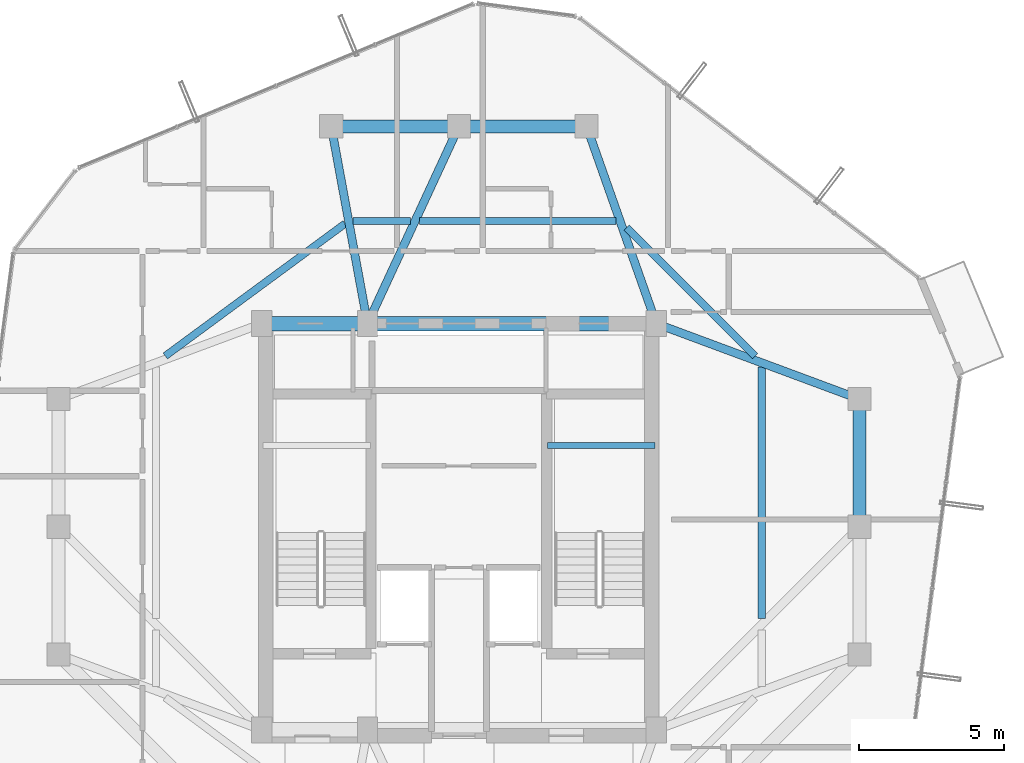
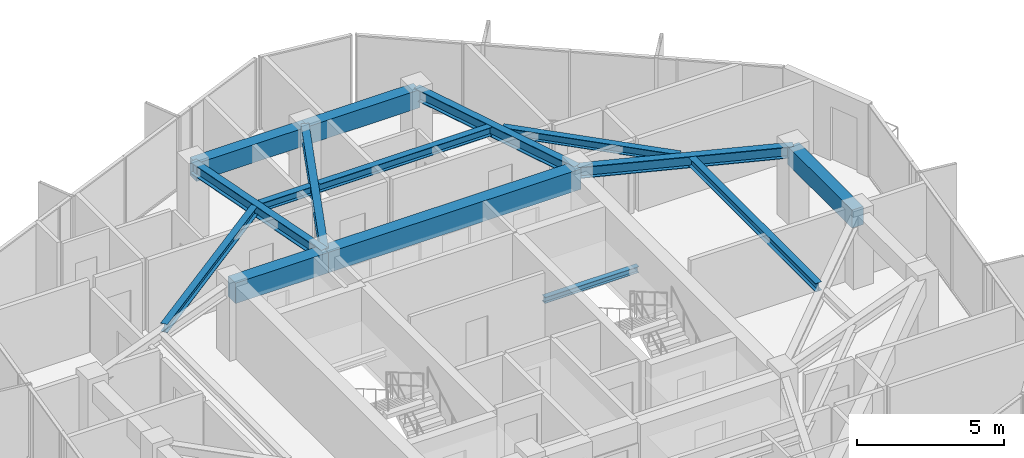
# One storey, part 16 of 31: 15 beams.
"""IFC4 building model written with IfcOpenShell, lengths in metres."""

from ifc_helpers import new_model, si_unit, direction, frame, origin, origin_2d, place, context, subcontext, project, spatial, rectangle, i_section, extrude, material, material_profile, profile_set, type_object, element, save


model = new_model("IFC4")

# Units and contexts
model_context = context("Model", 3, precision=1e-05, world=origin(), true_north=direction((0.0, 1.0)))
body_context = subcontext(model_context, "Body", "Model", "MODEL_VIEW")
ifc_project = project(units=[si_unit("LENGTHUNIT", "METRE"), si_unit("AREAUNIT", "SQUARE_METRE"), si_unit("VOLUMEUNIT", "CUBIC_METRE"), si_unit("PLANEANGLEUNIT", "RADIAN"), si_unit("MASSUNIT", "GRAM", prefix="KILO")], contexts=[model_context])

# Site, building, storey
site_placement = place(None, origin())
site = spatial("IfcSite", under=ifc_project, at=site_placement, CompositionType="ELEMENT")
building_placement = place(site_placement, origin())
building = spatial("IfcBuilding", under=site, at=building_placement, Name="Veraguas Prism Commons", CompositionType="ELEMENT")
storey_placement = place(building_placement, frame((0.0, 0.0, 233.300048828125)))
storey = spatial("IfcBuildingStorey", under=building, at=storey_placement, Name="L66", CompositionType="ELEMENT", Elevation=233.300048828125)

# Beams
ifc_material_1 = material(Name="Concrete C50/60", Category="concrete")
ifc_material_profile_1 = material_profile(ifc_material_1, rectangle(XDim=0.5, YDim=0.85009765625, at=origin_2d()), Name="RC500X850")
ifc_profile_set_1 = profile_set([ifc_material_profile_1], Name="Concrete C50/60")
beam_type_1 = type_object("IfcBeamType", Name="Core Coupling Beam RC 500x850", PredefinedType="BEAM", material=ifc_profile_set_1)
beam_1_placement = place(storey_placement, frame((17.199951171875, 31.0, 2.58984375), z_axis=(1.0, 0.0, 0.0), x_axis=(0.0, 1.0, 0.0)))
element("IfcBeam", 1, at=beam_1_placement, inside=storey, type_object=beam_type_1, Name="Core Coupling Beam L66-CRN1", PredefinedType="BEAM", context=body_context, shape_type="SweptSolid", body=[
    extrude(rectangle(XDim=0.5, YDim=0.85009765625, at=origin_2d()), origin(), (0.0, 0.0, 1.0), 3.650146484375),
])
beam_2_placement = place(storey_placement, frame((20.85009765625, 31.0, 2.58984375), z_axis=(1.0, 0.0, 0.0), x_axis=(0.0, 1.0, 0.0)))
element("IfcBeam", 2, at=beam_2_placement, inside=storey, type_object=beam_type_1, Name="Core Coupling Beam L66-CRN2", PredefinedType="BEAM", context=body_context, shape_type="SweptSolid", body=[
    extrude(rectangle(XDim=0.5, YDim=0.85009765625, at=origin_2d()), origin(), (0.0, 0.0, 1.0), 9.949951171875),
])
ifc_material_profile_2 = material_profile(ifc_material_1, rectangle(XDim=0.449951171875, YDim=0.75, at=origin_2d()), Name="RC450X750")
ifc_profile_set_2 = profile_set([ifc_material_profile_2], Name="Concrete C50/60")
beam_type_2 = type_object("IfcBeamType", Name="Perimeter Spandrel Upper RC 450x750", PredefinedType="SPANDREL", material=ifc_profile_set_2)
for number, where, z_axis, x_axis, name in (
    (3, (37.800048828125, 24.0, 2.639892578125), (0.0, 1.0, 0.0), (-1.0, 0.0, 0.0), "Perimeter Spandrel Beam L66-SP02"),
    (4, (28.39990234375, 37.800048828125, 2.639892578125), (-1.0, 0.0, 0.0), (0.0, -1.0, 0.0), "Perimeter Spandrel Beam L66-SP04"),
    (5, (24.0, 37.800048828125, 2.639892578125), (-1.0, 0.0, 0.0), (0.0, -1.0, 0.0), "Perimeter Spandrel Beam L66-SP05"),
):
    element("IfcBeam", number, at=place(storey_placement, frame(where, z_axis=z_axis, x_axis=x_axis)), inside=storey, type_object=beam_type_2, Name=name, PredefinedType="SPANDREL", context=body_context, shape_type="SweptSolid", body=[
        extrude(rectangle(XDim=0.449951171875, YDim=0.75, at=origin_2d()), origin(), (0.0, 0.0, 1.0), 4.39990234375),
    ])
ifc_material_2 = material(Name="Steel ASTM A992 Grade 50", Category="steel")
ifc_material_profile_3 = material_profile(ifc_material_2, i_section(OverallWidth=0.202880859375, OverallDepth=0.251953125, WebThickness=0.008056640625, FlangeThickness=0.013427734375, at=origin_2d()), Name="W250X58")
ifc_profile_set_3 = profile_set([ifc_material_profile_3], Name="Steel ASTM A992 Grade 50")
beam_type_3 = type_object("IfcBeamType", Name="Structural Opening Lintel W250x58", PredefinedType="LINTEL", material=ifc_profile_set_3)
beam_3_placement = place(storey_placement, frame((27.050048828125, 26.800048828125, 1.299072265625), z_axis=(1.0, 0.0, 0.0), x_axis=(0.0, 1.0, 0.0)))
element("IfcBeam", 6, at=beam_3_placement, inside=storey, type_object=beam_type_3, Name="Stair ST-02 Half-Landing Support Beam L66-1", PredefinedType="LINTEL", context=body_context, shape_type="SweptSolid", body=[
    extrude(i_section(OverallWidth=0.202880859375, OverallDepth=0.251953125, WebThickness=0.008056640625, FlangeThickness=0.013427734375, at=origin_2d()), origin(), (0.0, 0.0, 1.0), 3.699951171875),
])
ifc_material_profile_4 = material_profile(ifc_material_2, i_section(OverallWidth=0.25390625, OverallDepth=0.35302734375, WebThickness=0.009521484375, FlangeThickness=0.016357421875, at=origin_2d()), Name="W360X91")
ifc_profile_set_4 = profile_set([ifc_material_profile_4], Name="Steel ASTM A992 Grade 50")
beam_type_4 = type_object("IfcBeamType", Name="Upper Floor Joist W360x91", PredefinedType="JOIST", material=ifc_profile_set_4)
beam_4_placement = place(storey_placement, frame((34.43994140625, 20.83740234375, 2.83837890625), z_axis=(0.0, 1.0, 0.0), x_axis=(-1.0, 0.0, 0.0)))
element("IfcBeam", 7, at=beam_4_placement, inside=storey, type_object=beam_type_4, Name="Composite Floor Joist L66-JS02", PredefinedType="JOIST", context=body_context, shape_type="SweptSolid", body=[
    extrude(i_section(OverallWidth=0.25390625, OverallDepth=0.35302734375, WebThickness=0.009521484375, FlangeThickness=0.016357421875, at=origin_2d()), origin(), (0.0, 0.0, 1.0), 8.661865234375),
])
beam_5_placement = place(storey_placement, frame((34.203369140625, 29.884765625, 2.83837890625), z_axis=(-0.707126297541, 0.707087264294, 0.0), x_axis=(-0.707087264294, -0.707126297541, 0.0)))
element("IfcBeam", 8, at=beam_5_placement, inside=storey, type_object=beam_type_4, Name="Composite Floor Joist L66-JS03", PredefinedType="JOIST", context=body_context, shape_type="SweptSolid", body=[
    extrude(i_section(OverallWidth=0.25390625, OverallDepth=0.35302734375, WebThickness=0.009521484375, FlangeThickness=0.016357421875, at=origin_2d()), origin(), (0.0, 0.0, 1.0), 6.254638671875),
])
beam_6_placement = place(storey_placement, frame((29.404052734375, 34.535888671875, 2.83837890625), z_axis=(-1.0, 0.0, 0.0), x_axis=(0.0, -1.0, 0.0)))
element("IfcBeam", 9, at=beam_6_placement, inside=storey, type_object=beam_type_4, Name="Composite Floor Joist L66-JS04", PredefinedType="JOIST", context=body_context, shape_type="SweptSolid", body=[
    extrude(i_section(OverallWidth=0.25390625, OverallDepth=0.35302734375, WebThickness=0.009521484375, FlangeThickness=0.016357421875, at=origin_2d()), origin(), (0.0, 0.0, 1.0), 6.762451171875),
])
beam_7_placement = place(storey_placement, frame((22.334228515625, 34.535888671875, 2.83837890625), z_axis=(-1.0, 0.0, 0.0), x_axis=(0.0, -1.0, 0.0)))
element("IfcBeam", 10, at=beam_7_placement, inside=storey, type_object=beam_type_4, Name="Composite Floor Joist L66-JS05", PredefinedType="JOIST", context=body_context, shape_type="SweptSolid", body=[
    extrude(i_section(OverallWidth=0.25390625, OverallDepth=0.35302734375, WebThickness=0.009521484375, FlangeThickness=0.016357421875, at=origin_2d()), origin(), (0.0, 0.0, 1.0), 1.992431640625),
])
beam_8_placement = place(storey_placement, frame((20.0751953125, 34.444091796875, 2.83837890625), z_axis=(-0.805319835229, -0.592840588174, 0.0), x_axis=(0.592840588174, -0.805319835229, 0.0)))
element("IfcBeam", 11, at=beam_8_placement, inside=storey, type_object=beam_type_4, Name="Composite Floor Joist L66-JS06", PredefinedType="JOIST", context=body_context, shape_type="SweptSolid", body=[
    extrude(i_section(OverallWidth=0.25390625, OverallDepth=0.35302734375, WebThickness=0.009521484375, FlangeThickness=0.016357421875, at=origin_2d()), origin(), (0.0, 0.0, 1.0), 7.69140625),
])
ifc_material_profile_5 = material_profile(ifc_material_2, i_section(OverallWidth=0.282958984375, OverallDepth=0.471923828125, WebThickness=0.013671875, FlangeThickness=0.022216796875, at=origin_2d()), Name="W460X144")
ifc_profile_set_5 = profile_set([ifc_material_profile_5], Name="Steel ASTM A992 Grade 50")
beam_type_5 = type_object("IfcBeamType", Name="Zone 4 Radial Girder W460x144", PredefinedType="BEAM", material=ifc_profile_set_5)
beam_9_placement = place(storey_placement, frame((37.800048828125, 28.39990234375, 2.779052734375), z_axis=(-0.937421003341, 0.348198021958, 0.0), x_axis=(-0.348198021958, -0.937421003341, 0.0)))
element("IfcBeam", 12, at=beam_9_placement, inside=storey, type_object=beam_type_5, Name="Radial Floor Girder L66-RD03", PredefinedType="BEAM", context=body_context, shape_type="SweptSolid", body=[
    extrude(i_section(OverallWidth=0.282958984375, OverallDepth=0.471923828125, WebThickness=0.013671875, FlangeThickness=0.022216796875, at=origin_2d()), origin(), (0.0, 0.0, 1.0), 7.46728515625),
])
beam_10_placement = place(storey_placement, frame((28.39990234375, 37.800048828125, 2.779052734375), z_axis=(0.332836055941, -0.942984708182, 0.0), x_axis=(0.942984708182, 0.332836055941, 0.0)))
element("IfcBeam", 13, at=beam_10_placement, inside=storey, type_object=beam_type_5, Name="Radial Floor Girder L66-RD04", PredefinedType="BEAM", context=body_context, shape_type="SweptSolid", body=[
    extrude(i_section(OverallWidth=0.282958984375, OverallDepth=0.471923828125, WebThickness=0.013671875, FlangeThickness=0.022216796875, at=origin_2d()), origin(), (0.0, 0.0, 1.0), 7.211181640625),
])
beam_11_placement = place(storey_placement, frame((24.0, 37.800048828125, 2.779052734375), z_axis=(-0.420313834543, -0.907378796585, 0.0), x_axis=(0.907378796585, -0.420313834543, 0.0)))
element("IfcBeam", 14, at=beam_11_placement, inside=storey, type_object=beam_type_5, Name="Radial Floor Girder L66-RD05", PredefinedType="BEAM", context=body_context, shape_type="SweptSolid", body=[
    extrude(i_section(OverallWidth=0.282958984375, OverallDepth=0.471923828125, WebThickness=0.013671875, FlangeThickness=0.022216796875, at=origin_2d()), origin(), (0.0, 0.0, 1.0), 7.494140625),
])
beam_12_placement = place(storey_placement, frame((19.60009765625, 37.800048828125, 2.779052734375), z_axis=(0.180793033327, -0.983521163524, 0.0), x_axis=(0.983521163524, 0.180793033327, 0.0)))
element("IfcBeam", 15, at=beam_12_placement, inside=storey, type_object=beam_type_5, Name="Radial Floor Girder L66-RD06", PredefinedType="BEAM", context=body_context, shape_type="SweptSolid", body=[
    extrude(i_section(OverallWidth=0.282958984375, OverallDepth=0.471923828125, WebThickness=0.013671875, FlangeThickness=0.022216796875, at=origin_2d()), origin(), (0.0, 0.0, 1.0), 6.9140625),
])

save(model, "model.ifc")
